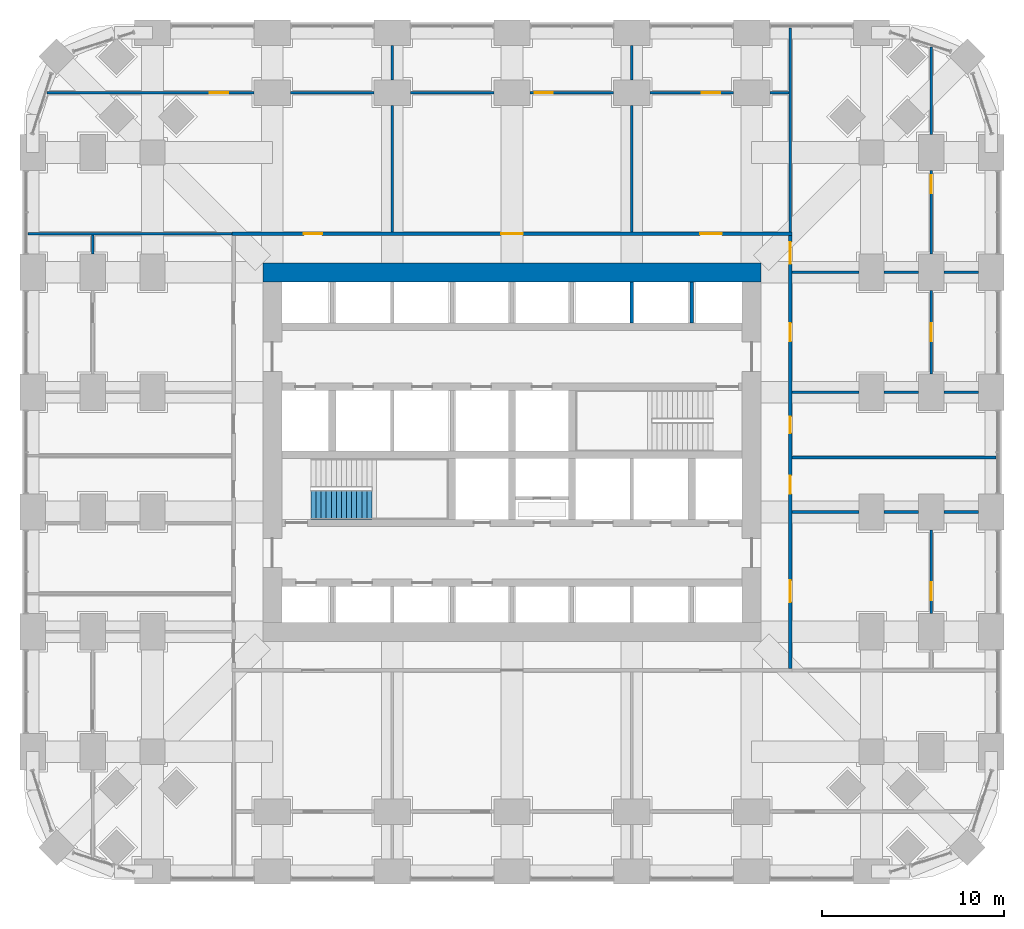
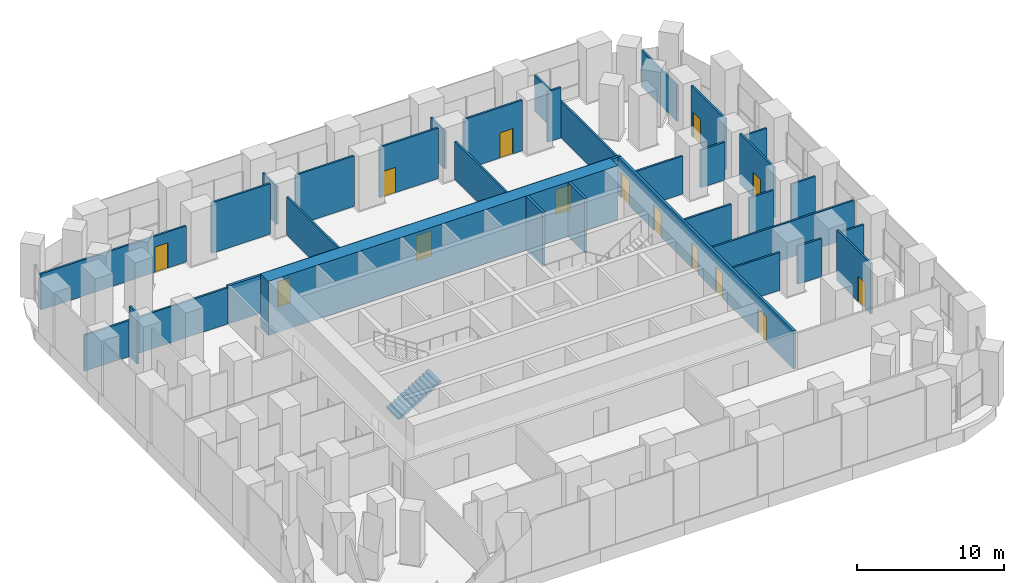
# One storey, part 13 of 17: 32 walls, 14 doors, 1 stair flight, 14 openings, 1 element without a shape of its own.
"""IFC4 building model written with IfcOpenShell, lengths in metres."""

import ifcopenshell
import ifcopenshell.guid

model = None  # the IFC model being written
_history = None  # IfcOwnerHistory: only IFC2X3 demands one
_inside = {}  # id of a spatial element -> (the spatial element, [elements in it])
_under = {}  # id of a project, library or spatial element -> (it, [spatial elements below it])
_declared = {}  # id of a project -> (the project, [libraries it declares])
_typed = {}  # id of a type object -> (the type object, [elements of that type])
_made_of = {}  # id of a material, layer set ... -> (it, [elements and type objects made of it])


def new_model(schema):
    """Start an empty IFC model of exactly this schema.

    Asked for "IFC4X3", IfcOpenShell would pick the latest addendum, in which some entities
    have other attributes; the version numbers below select the first issue.
    IFC2X3 requires an IfcOwnerHistory on every rooted entity: one is made here for all.
    """
    global model, _history
    if schema == "IFC4X3":
        model = ifcopenshell.file(schema_version=(4, 3, 0, 0))
    else:
        model = ifcopenshell.file(schema=schema)
    _inside.clear()
    _under.clear()
    _declared.clear()
    _typed.clear()
    _made_of.clear()
    _history = None
    if model.schema == "IFC2X3":
        org = make("IfcOrganization", Name="unknown")
        user = make(
            "IfcPersonAndOrganization",
            ThePerson=make("IfcPerson", FamilyName="unknown"),
            TheOrganization=org,
        )
        app = make(
            "IfcApplication",
            ApplicationDeveloper=org,
            Version="unknown",
            ApplicationFullName="unknown",
            ApplicationIdentifier="unknown",
        )
        _history = make(
            "IfcOwnerHistory",
            OwningUser=user,
            OwningApplication=app,
            ChangeAction="ADDED",
            CreationDate=0,
        )
    return model


def make(cls, **values):
    """One entity of the class cls with the attributes given. An attribute that is None is left unset."""
    return model.create_entity(
        cls, **{name: value for name, value in values.items() if value is not None}
    )


def rooted(cls, **values):
    """An entity with a GlobalId (a new one), such as an element, a storey or a relation."""
    return make(cls, GlobalId=ifcopenshell.guid.new(), OwnerHistory=_history, **values)


def si_unit(unit_type, name, prefix=None):
    """IfcSIUnit, for example si_unit("LENGTHUNIT", "METRE", prefix="MILLI")."""
    return make("IfcSIUnit", UnitType=unit_type, Prefix=prefix, Name=name)


def assignment(units):
    """IfcUnitAssignment: the units of a project."""
    return None if units is None else make("IfcUnitAssignment", Units=units)


def point(xyz):
    """IfcCartesianPoint."""
    return None if xyz is None else make("IfcCartesianPoint", Coordinates=xyz)


def direction(xyz):
    """IfcDirection."""
    return None if xyz is None else make("IfcDirection", DirectionRatios=xyz)


def frame(location, z_axis=None, x_axis=None):
    """IfcAxis2Placement3D, a coordinate frame: its origin and axes. An axis left out is left unset."""
    return make(
        "IfcAxis2Placement3D",
        Location=point(location),
        Axis=direction(z_axis),
        RefDirection=direction(x_axis),
    )


def frame_2d(location, x_axis=None):
    """IfcAxis2Placement2D, a coordinate frame in the plane: its origin and x axis."""
    return make(
        "IfcAxis2Placement2D", Location=point(location), RefDirection=direction(x_axis)
    )


def origin():
    """The frame at (0, 0, 0) with its axes left unset."""
    return frame((0.0, 0.0, 0.0))


def place(relative_to, where):
    """IfcLocalPlacement: puts the frame where relative to a parent placement (None: the world)."""
    return make(
        "IfcLocalPlacement", PlacementRelTo=relative_to, RelativePlacement=where
    )


def context(
    kind, dimensions, precision=None, world=None, true_north=None, identifier=None
):
    """IfcGeometricRepresentationContext, for example the 3D "Model" context."""
    return make(
        "IfcGeometricRepresentationContext",
        ContextIdentifier=identifier,
        ContextType=kind,
        CoordinateSpaceDimension=dimensions,
        Precision=precision,
        WorldCoordinateSystem=world,
        TrueNorth=true_north,
    )


def subcontext(parent, identifier, kind, view, scale=None):
    """IfcGeometricRepresentationSubContext, for example "Body" below "Model"."""
    return make(
        "IfcGeometricRepresentationSubContext",
        ContextIdentifier=identifier,
        ContextType=kind,
        ParentContext=parent,
        TargetScale=scale,
        TargetView=view,
    )


def project(units=None, contexts=None):
    """IfcProject with its units and contexts."""
    return rooted(
        "IfcProject",
        Name="project",
        RepresentationContexts=contexts,
        UnitsInContext=assignment(units),
    )


def spatial(cls, under=None, at=None, **own):
    """A site, building, storey or space (cls), placed at a placement, below another one or the project."""
    s = rooted(cls, ObjectPlacement=at, **own)
    if under is not None:
        _under.setdefault(under.id(), (under, []))[1].append(s)
    return s


def polyline(points):
    """IfcPolyline through the points."""
    return make("IfcPolyline", Points=[point(p) for p in points])


def profile(cls, at=None, kind="AREA", **sizes):
    """A parametric profile (cls). Its sizes go by their IFC names, for example OverallWidth=200.0."""
    return make(cls, ProfileType=kind, Position=at, **sizes)


def rectangle(**sizes):
    """IfcRectangleProfileDef."""
    return profile("IfcRectangleProfileDef", **sizes)


def outline(outer, holes=None, kind="AREA"):
    """IfcArbitraryClosedProfileDef: a profile drawn as a closed curve; with holes, ...WithVoids."""
    if holes is None:
        return make("IfcArbitraryClosedProfileDef", ProfileType=kind, OuterCurve=outer)
    return make(
        "IfcArbitraryProfileDefWithVoids",
        ProfileType=kind,
        OuterCurve=outer,
        InnerCurves=holes,
    )


def extrude(swept, where, along, depth):
    """IfcExtrudedAreaSolid: the profile swept, set in the frame where, extruded along a direction by depth."""
    return make(
        "IfcExtrudedAreaSolid",
        SweptArea=swept,
        Position=where,
        ExtrudedDirection=direction(along),
        Depth=depth,
    )


def shape(context_of_items, identifier, shape_type, items):
    """IfcShapeRepresentation: the items that make up one representation, for example the "Body"."""
    return make(
        "IfcShapeRepresentation",
        ContextOfItems=context_of_items,
        RepresentationIdentifier=identifier,
        RepresentationType=shape_type,
        Items=items,
    )


def material(Name=None, Category=None):
    """IfcMaterial."""
    return make("IfcMaterial", Name=Name, Category=Category)


def layer(
    of_material, thickness, ventilated=None, Name=None, Category=None, Priority=None
):
    """IfcMaterialLayer: one layer of a wall or slab, of a material (None: an air gap)."""
    return make(
        "IfcMaterialLayer",
        Material=of_material,
        LayerThickness=thickness,
        IsVentilated=ventilated,
        Name=Name,
        Category=Category,
        Priority=Priority,
    )


def layer_set(layers, Name=None):
    """IfcMaterialLayerSet."""
    return make("IfcMaterialLayerSet", MaterialLayers=layers, LayerSetName=Name)


def made_of(thing, what):
    """Note that an element or type object is made of a material, layer set ...; save() writes the relation."""
    if what is not None:
        _made_of.setdefault(what.id(), (what, []))[1].append(thing)
    return thing


def type_object(cls, material=None, **own):
    """A type object (cls), such as IfcWallType, which elements share."""
    return made_of(rooted(cls, **own), material)


def element(
    cls,
    number,
    at=None,
    inside=None,
    cuts=None,
    type_object=None,
    material=None,
    context=None,
    identifier="Body",
    shape_type=None,
    held_by="IfcProductDefinitionShape",
    body=None,
    shapes=None,
    **own,
):
    """One element of the class cls, such as IfcWall. Its Tag is "e" and its number.

    at: its placement. inside: the storey or other place that contains it. cuts: it is an
    opening in that element (IfcRelVoidsElement). A single representation is given by context,
    identifier, shape_type and body (its items); several are given by shapes. held_by: the class
    of the entity that holds the representations. save() writes the other relations.
    """
    e = rooted(cls, Tag="e%d" % number, ObjectPlacement=at, **own)
    if body is not None:
        shapes = [shape(context, identifier, shape_type, body)]
    if shapes is not None:
        e.Representation = make(held_by, Representations=shapes)
    if inside is not None:
        _inside.setdefault(inside.id(), (inside, []))[1].append(e)
    if cuts is not None:
        rooted(
            "IfcRelVoidsElement", RelatingBuildingElement=cuts, RelatedOpeningElement=e
        )
    if type_object is not None:
        _typed.setdefault(type_object.id(), (type_object, []))[1].append(e)
    return made_of(e, material)


def fill(opening, filler):
    """IfcRelFillsElement: the door or window that sits in an opening."""
    return rooted(
        "IfcRelFillsElement",
        RelatingOpeningElement=opening,
        RelatedBuildingElement=filler,
    )


def aggregate(whole, parts):
    """IfcRelAggregates: a whole, such as a stair, and the parts it consists of."""
    return rooted("IfcRelAggregates", RelatingObject=whole, RelatedObjects=parts)


def save(model, path):
    """Write the relations noted so far, then the file.

    IfcRelAggregates (storeys below a building ...), IfcRelContainedInSpatialStructure (elements
    in a storey), IfcRelDefinesByType, IfcRelAssociatesMaterial and IfcRelDeclares: one each for
    every whole, place, type object, material and project.
    """
    for whole, parts in _under.values():
        aggregate(whole, parts)
    for where, things in _inside.values():
        rooted(
            "IfcRelContainedInSpatialStructure",
            RelatedElements=things,
            RelatingStructure=where,
        )
    for kind, things in _typed.values():
        rooted("IfcRelDefinesByType", RelatedObjects=things, RelatingType=kind)
    for what, things in _made_of.values():
        rooted("IfcRelAssociatesMaterial", RelatedObjects=things, RelatingMaterial=what)
    for by, libraries in _declared.values():
        rooted("IfcRelDeclares", RelatingContext=by, RelatedDefinitions=libraries)
    model.write(path)


model = new_model("IFC4")

# Units and contexts
model_context = context("Model", 3, precision=1e-05, world=origin(), true_north=direction((0.0, 1.0)))
body_context = subcontext(model_context, "Body", "Model", "MODEL_VIEW")
ifc_project = project(units=[si_unit("LENGTHUNIT", "METRE"), si_unit("AREAUNIT", "SQUARE_METRE"), si_unit("VOLUMEUNIT", "CUBIC_METRE"), si_unit("PLANEANGLEUNIT", "RADIAN"), si_unit("MASSUNIT", "GRAM", prefix="KILO")], contexts=[model_context])

# Site, building, storey
site_placement = place(None, origin())
site = spatial("IfcSite", under=ifc_project, at=site_placement, CompositionType="ELEMENT")
building_placement = place(site_placement, origin())
building = spatial("IfcBuilding", under=site, at=building_placement, Name="Cobogo Forest Laboratory Tower", CompositionType="ELEMENT")
storey_placement = place(building_placement, frame((0.0, 0.0, 12.60009765625)))
storey = spatial("IfcBuildingStorey", under=building, at=storey_placement, Name="L02", CompositionType="ELEMENT", Elevation=12.60009765625)

# Walls
ifc_material_1 = material(Name="Concrete HA-50 (C50/60)", Category="concrete")
ifc_layer_1 = layer(ifc_material_1, 1.050048828125)
ifc_layer_set_1 = layer_set([ifc_layer_1], Name="CW1050 core outer wall 1050")
wall_type_1 = type_object("IfcWallType", Name="CW1050 core outer wall 1050", PredefinedType="SHEAR", material=ifc_layer_set_1)
wall_1_placement = place(storey_placement, frame((40.125, 33.0, 0.0), z_axis=(0.0, 0.0, 1.0), x_axis=(-1.0, 0.0, 0.0)))
element("IfcWall", 1, at=wall_1_placement, inside=storey, type_object=wall_type_1, Name="Core wall CO-N L02", PredefinedType="SHEAR", context=body_context, shape_type="SweptSolid", body=[
    extrude(rectangle(XDim=27.449951171875, YDim=1.050048828125, at=frame_2d((13.72509765625, 0.0))), origin(), (0.0, 0.0, 1.0), 4.5),
])
ifc_material_2 = material(Name="Gypsum board on steel studs", Category="steel")
ifc_layer_2 = layer(ifc_material_2, 0.14990234375)
ifc_layer_set_2 = layer_set([ifc_layer_2], Name="PT1 laboratory partition 150")
wall_type_2 = type_object("IfcWallType", Name="PT1 laboratory partition 150", PredefinedType="PARTITIONING", material=ifc_layer_set_2)
wall_2_placement = place(storey_placement, frame((41.72509765625, 46.469970703125, 0.0), z_axis=(0.0, 0.0, 1.0), x_axis=(0.0, -1.0, 0.0)))
element("IfcWall", 2, at=wall_2_placement, inside=storey, type_object=wall_type_2, Name="Partition PW-NE L02", PredefinedType="PARTITIONING", context=body_context, shape_type="SweptSolid", body=[
    extrude(rectangle(XDim=11.244873046875, YDim=0.14990234375, at=frame_2d((5.62255859375, 0.0))), origin(), (0.0, 0.0, 1.0), 3.0),
])
wall_3_placement = place(storey_placement, frame((-0.27001953125, 35.125, 0.0), z_axis=(0.0, 0.0, 1.0), x_axis=(1.0, 0.0, 0.0)))
element("IfcWall", 3, at=wall_3_placement, inside=storey, type_object=wall_type_2, Name="Partition PW-NW L02", PredefinedType="PARTITIONING", context=body_context, shape_type="SweptSolid", body=[
    extrude(rectangle(XDim=11.2451171875, YDim=0.14990234375, at=frame_2d((5.62255859375, 0.0))), origin(), (0.0, 0.0, 1.0), 3.0),
])

# Wall, opening, door
wall_4_placement = place(storey_placement, frame((49.5, 14.199951171875, 0.0), z_axis=(0.0, 0.0, 1.0), x_axis=(0.0, 1.0, 0.0)))
wall_4 = element("IfcWall", 4, at=wall_4_placement, inside=storey, type_object=wall_type_2, Name="Partition STRIP-E-2 L02", PredefinedType="PARTITIONING", context=body_context, shape_type="SweptSolid", body=[
    extrude(rectangle(XDim=4.60009765625, YDim=0.14990234375, at=frame_2d((2.300048828125, 0.0))), origin(), (0.0, 0.0, 1.0), 4.199951171875),
])
opening_1_placement = place(wall_4_placement, frame((0.737548828125, 0.0, 0.0)))
opening_1 = element("IfcOpeningElement", 5, at=opening_1_placement, cuts=wall_4, Name="Opening L02-D11", PredefinedType="OPENING", context=body_context, shape_type="SweptSolid", body=[
    extrude(rectangle(XDim=1.0, YDim=2.10009765625, at=frame_2d((0.5, 1.050048828125))), frame((0.0, 0.0849609375, 0.0), z_axis=(0.0, -1.0, 0.0), x_axis=(1.0, 0.0, 0.0)), (0.0, 0.0, 1.0), 0.169921875),
])
ifc_material_3 = material(Name="Timber fire door", Category="wood")
door_type_1 = type_object("IfcDoorType", Name="FD2 fire door 1000 EI2 30", OperationType="SINGLE_SWING_LEFT", PredefinedType="DOOR", material=ifc_material_3)
door_1_placement = place(opening_1_placement, origin())
door_1 = element("IfcDoor", 6, at=door_1_placement, inside=storey, type_object=door_type_1, Name="Door L02-E1W", OperationType="SINGLE_SWING_LEFT", OverallHeight=2.10009765625, OverallWidth=1.0, PredefinedType="DOOR", context=body_context, shape_type="SweptSolid", body=[
    extrude(rectangle(XDim=1.0, YDim=2.10009765625, at=frame_2d((0.5, 1.050048828125))), frame((0.0, 0.02490234375, 0.0), z_axis=(0.0, -1.0, 0.0), x_axis=(1.0, 0.0, 0.0)), (0.0, 0.0, 1.0), 0.050048828125),
])
fill(opening_1, door_1)

wall_5_placement = place(storey_placement, frame((49.5, 27.39990234375, 0.0), z_axis=(0.0, 0.0, 1.0), x_axis=(0.0, 1.0, 0.0)))
wall_5 = element("IfcWall", 7, at=wall_5_placement, inside=storey, type_object=wall_type_2, Name="Partition STRIP-E-3 L02", PredefinedType="PARTITIONING", context=body_context, shape_type="SweptSolid", body=[
    extrude(rectangle(XDim=4.60009765625, YDim=0.14990234375, at=frame_2d((2.300048828125, 0.0))), origin(), (0.0, 0.0, 1.0), 4.199951171875),
])
opening_2_placement = place(wall_5_placement, frame((1.800048828125, 0.0, 0.0)))
opening_2 = element("IfcOpeningElement", 8, at=opening_2_placement, cuts=wall_5, Name="Opening L02-D27", PredefinedType="OPENING", context=body_context, shape_type="SweptSolid", body=[
    extrude(rectangle(XDim=1.0, YDim=2.10009765625, at=frame_2d((0.5, 1.050048828125))), frame((0.0, 0.0849609375, 0.0), z_axis=(0.0, -1.0, 0.0), x_axis=(1.0, 0.0, 0.0)), (0.0, 0.0, 1.0), 0.169921875),
])
door_2_placement = place(opening_2_placement, origin())
door_2 = element("IfcDoor", 9, at=door_2_placement, inside=storey, type_object=door_type_1, Name="Door L02-E2W", OperationType="SINGLE_SWING_RIGHT", OverallHeight=2.10009765625, OverallWidth=1.0, PredefinedType="DOOR", context=body_context, shape_type="SweptSolid", body=[
    extrude(rectangle(XDim=1.0, YDim=2.10009765625, at=frame_2d((0.5, 1.050048828125))), frame((0.0, 0.02490234375, 0.0), z_axis=(0.0, -1.0, 0.0), x_axis=(1.0, 0.0, 0.0)), (0.0, 0.0, 1.0), 0.050048828125),
])
fill(opening_2, door_2)

wall_6_placement = place(storey_placement, frame((49.5, 34.0, 0.0), z_axis=(0.0, 0.0, 1.0), x_axis=(0.0, 1.0, 0.0)))
wall_6 = element("IfcWall", 10, at=wall_6_placement, inside=storey, type_object=wall_type_2, Name="Partition STRIP-E-4 L02", PredefinedType="PARTITIONING", context=body_context, shape_type="SweptSolid", body=[
    extrude(rectangle(XDim=4.60009765625, YDim=0.14990234375, at=frame_2d((2.300048828125, 0.0))), origin(), (0.0, 0.0, 1.0), 4.199951171875),
])
opening_3_placement = place(wall_6_placement, frame((3.35009765625, 0.0, 0.0)))
opening_3 = element("IfcOpeningElement", 11, at=opening_3_placement, cuts=wall_6, Name="Opening L02-D34", PredefinedType="OPENING", context=body_context, shape_type="SweptSolid", body=[
    extrude(rectangle(XDim=1.0, YDim=2.10009765625, at=frame_2d((0.5, 1.050048828125))), frame((0.0, 0.0849609375, 0.0), z_axis=(0.0, -1.0, 0.0), x_axis=(1.0, 0.0, 0.0)), (0.0, 0.0, 1.0), 0.169921875),
])
door_3_placement = place(opening_3_placement, origin())
door_3 = element("IfcDoor", 12, at=door_3_placement, inside=storey, type_object=door_type_1, Name="Door L02-E3W", OperationType="SINGLE_SWING_RIGHT", OverallHeight=2.10009765625, OverallWidth=1.0, PredefinedType="DOOR", context=body_context, shape_type="SweptSolid", body=[
    extrude(rectangle(XDim=1.0, YDim=2.10009765625, at=frame_2d((0.5, 1.050048828125))), frame((0.0, 0.02490234375, 0.0), z_axis=(0.0, -1.0, 0.0), x_axis=(1.0, 0.0, 0.0)), (0.0, 0.0, 1.0), 0.050048828125),
])
fill(opening_3, door_3)

# Walls
wall_7_placement = place(storey_placement, frame((49.5, 40.60009765625, 0.0), z_axis=(0.0, 0.0, 1.0), x_axis=(0.0, 1.0, 0.0)))
element("IfcWall", 13, at=wall_7_placement, inside=storey, type_object=wall_type_2, Name="Partition STRIP-E-5 L02", PredefinedType="PARTITIONING", context=body_context, shape_type="SweptSolid", body=[
    extrude(rectangle(XDim=4.823974609375, YDim=0.14990234375, at=frame_2d((2.412109375, 0.0))), origin(), (0.0, 0.0, 1.0), 3.0),
])
wall_8_placement = place(storey_placement, frame((53.070068359375, 22.800048828125, 0.0), z_axis=(0.0, 0.0, 1.0), x_axis=(-1.0, 0.0, 0.0)))
element("IfcWall", 14, at=wall_8_placement, inside=storey, type_object=wall_type_2, Name="Partition SVC-E1-1 L02", PredefinedType="PARTITIONING", context=body_context, shape_type="SweptSolid", body=[
    extrude(rectangle(XDim=11.2451171875, YDim=0.14990234375, at=frame_2d((5.62255859375, 0.0))), origin(), (0.0, 0.0, 1.0), 3.0),
])
for number, where, z_axis, x_axis, name in (
    (15, (52.10009765625, 26.39990234375, 0.0), (0.0, 0.0, 1.0), (-1.0, 0.0, 0.0), "Partition SVC-E2-1 L02"),
    (16, (48.800048828125, 26.39990234375, 0.0), (0.0, 0.0, 1.0), (-1.0, 0.0, 0.0), "Partition SVC-E2-2 L02"),
):
    element("IfcWall", number, at=place(storey_placement, frame(where, z_axis=z_axis, x_axis=x_axis)), inside=storey, type_object=wall_type_2, Name=name, PredefinedType="PARTITIONING", context=body_context, shape_type="SweptSolid", body=[
        extrude(rectangle(XDim=1.900146484375, YDim=0.14990234375, at=frame_2d((0.9501953125, 0.0))), origin(), (0.0, 0.0, 1.0), 3.14990234375),
    ])
wall_9_placement = place(storey_placement, frame((45.5, 26.39990234375, 0.0), z_axis=(0.0, 0.0, 1.0), x_axis=(-1.0, 0.0, 0.0)))
element("IfcWall", 17, at=wall_9_placement, inside=storey, type_object=wall_type_2, Name="Partition SVC-E2-3 L02", PredefinedType="PARTITIONING", context=body_context, shape_type="SweptSolid", body=[
    extrude(rectangle(XDim=3.675048828125, YDim=0.14990234375, at=frame_2d((1.83740234375, 0.0))), origin(), (0.0, 0.0, 1.0), 3.14990234375),
])
for number, where, z_axis, x_axis, name in (
    (18, (52.10009765625, 19.800048828125, 0.0), (0.0, 0.0, 1.0), (-1.0, 0.0, 0.0), "Partition CUT-E19.8-1 L02"),
    (19, (48.800048828125, 19.800048828125, 0.0), (0.0, 0.0, 1.0), (-1.0, 0.0, 0.0), "Partition CUT-E19.8-2 L02"),
):
    element("IfcWall", number, at=place(storey_placement, frame(where, z_axis=z_axis, x_axis=x_axis)), inside=storey, type_object=wall_type_2, Name=name, PredefinedType="PARTITIONING", context=body_context, shape_type="SweptSolid", body=[
        extrude(rectangle(XDim=1.900146484375, YDim=0.14990234375, at=frame_2d((0.9501953125, 0.0))), origin(), (0.0, 0.0, 1.0), 3.14990234375),
    ])
wall_10_placement = place(storey_placement, frame((45.5, 19.800048828125, 0.0), z_axis=(0.0, 0.0, 1.0), x_axis=(-1.0, 0.0, 0.0)))
element("IfcWall", 20, at=wall_10_placement, inside=storey, type_object=wall_type_2, Name="Partition CUT-E19.8-3 L02", PredefinedType="PARTITIONING", context=body_context, shape_type="SweptSolid", body=[
    extrude(rectangle(XDim=3.675048828125, YDim=0.14990234375, at=frame_2d((1.83740234375, 0.0))), origin(), (0.0, 0.0, 1.0), 3.14990234375),
])
for number, where, z_axis, x_axis, name in (
    (21, (52.10009765625, 33.0, 0.0), (0.0, 0.0, 1.0), (-1.0, 0.0, 0.0), "Partition CUT-E33-1 L02"),
    (22, (48.800048828125, 33.0, 0.0), (0.0, 0.0, 1.0), (-1.0, 0.0, 0.0), "Partition CUT-E33-2 L02"),
):
    element("IfcWall", number, at=place(storey_placement, frame(where, z_axis=z_axis, x_axis=x_axis)), inside=storey, type_object=wall_type_2, Name=name, PredefinedType="PARTITIONING", context=body_context, shape_type="SweptSolid", body=[
        extrude(rectangle(XDim=1.900146484375, YDim=0.14990234375, at=frame_2d((0.9501953125, 0.0))), origin(), (0.0, 0.0, 1.0), 3.14990234375),
    ])
wall_11_placement = place(storey_placement, frame((45.5, 33.0, 0.0), z_axis=(0.0, 0.0, 1.0), x_axis=(-1.0, 0.0, 0.0)))
element("IfcWall", 23, at=wall_11_placement, inside=storey, type_object=wall_type_2, Name="Partition CUT-E33-3 L02", PredefinedType="PARTITIONING", context=body_context, shape_type="SweptSolid", body=[
    extrude(rectangle(XDim=3.675048828125, YDim=0.14990234375, at=frame_2d((1.83740234375, 0.0))), origin(), (0.0, 0.0, 1.0), 3.14990234375),
])
wall_12_placement = place(storey_placement, frame((41.64990234375, 42.89990234375, 0.0), z_axis=(0.0, 0.0, 1.0), x_axis=(-1.0, 0.0, 0.0)))
element("IfcWall", 24, at=wall_12_placement, inside=storey, type_object=wall_type_2, Name="Partition STRIP-N-1 L02", PredefinedType="PARTITIONING", context=body_context, shape_type="SweptSolid", body=[
    extrude(rectangle(XDim=1.0498046875, YDim=0.14990234375, at=frame_2d((0.52490234375, 0.0))), origin(), (0.0, 0.0, 1.0), 4.199951171875),
])

# Wall, opening, door
wall_13_placement = place(storey_placement, frame((38.60009765625, 42.89990234375, 0.0), z_axis=(0.0, 0.0, 1.0), x_axis=(-1.0, 0.0, 0.0)))
wall_13 = element("IfcWall", 25, at=wall_13_placement, inside=storey, type_object=wall_type_2, Name="Partition STRIP-N-2 L02", PredefinedType="PARTITIONING", context=body_context, shape_type="SweptSolid", body=[
    extrude(rectangle(XDim=4.60009765625, YDim=0.14990234375, at=frame_2d((2.300048828125, 0.0))), origin(), (0.0, 0.0, 1.0), 4.199951171875),
])
opening_4_placement = place(wall_13_placement, frame((0.737548828125, 0.0, 0.0)))
opening_4 = element("IfcOpeningElement", 26, at=opening_4_placement, cuts=wall_13, Name="Opening L02-D37", PredefinedType="OPENING", context=body_context, shape_type="SweptSolid", body=[
    extrude(rectangle(XDim=1.0, YDim=2.10009765625, at=frame_2d((0.5, 1.050048828125))), frame((0.0, 0.0849609375, 0.0), z_axis=(0.0, -1.0, 0.0), x_axis=(1.0, 0.0, 0.0)), (0.0, 0.0, 1.0), 0.169921875),
])
door_4_placement = place(opening_4_placement, origin())
door_4 = element("IfcDoor", 27, at=door_4_placement, inside=storey, type_object=door_type_1, Name="Door L02-N3W", OperationType="SINGLE_SWING_LEFT", OverallHeight=2.10009765625, OverallWidth=1.0, PredefinedType="DOOR", context=body_context, shape_type="SweptSolid", body=[
    extrude(rectangle(XDim=1.0, YDim=2.10009765625, at=frame_2d((0.5, 1.050048828125))), frame((0.0, 0.02490234375, 0.0), z_axis=(0.0, -1.0, 0.0), x_axis=(1.0, 0.0, 0.0)), (0.0, 0.0, 1.0), 0.050048828125),
])
fill(opening_4, door_4)

wall_14_placement = place(storey_placement, frame((32.0, 42.89990234375, 0.0), z_axis=(0.0, 0.0, 1.0), x_axis=(-1.0, 0.0, 0.0)))
wall_14 = element("IfcWall", 28, at=wall_14_placement, inside=storey, type_object=wall_type_2, Name="Partition STRIP-N-3 L02", PredefinedType="PARTITIONING", context=body_context, shape_type="SweptSolid", body=[
    extrude(rectangle(XDim=4.60009765625, YDim=0.14990234375, at=frame_2d((2.300048828125, 0.0))), origin(), (0.0, 0.0, 1.0), 4.199951171875),
])
opening_5_placement = place(wall_14_placement, frame((3.35009765625, 0.0, 0.0)))
opening_5 = element("IfcOpeningElement", 29, at=opening_5_placement, cuts=wall_14, Name="Opening L02-D36", PredefinedType="OPENING", context=body_context, shape_type="SweptSolid", body=[
    extrude(rectangle(XDim=1.0, YDim=2.10009765625, at=frame_2d((0.5, 1.050048828125))), frame((0.0, 0.0849609375, 0.0), z_axis=(0.0, -1.0, 0.0), x_axis=(1.0, 0.0, 0.0)), (0.0, 0.0, 1.0), 0.169921875),
])
door_5_placement = place(opening_5_placement, origin())
door_5 = element("IfcDoor", 30, at=door_5_placement, inside=storey, type_object=door_type_1, Name="Door L02-N2W", OperationType="SINGLE_SWING_RIGHT", OverallHeight=2.10009765625, OverallWidth=1.0, PredefinedType="DOOR", context=body_context, shape_type="SweptSolid", body=[
    extrude(rectangle(XDim=1.0, YDim=2.10009765625, at=frame_2d((0.5, 1.050048828125))), frame((0.0, 0.02490234375, 0.0), z_axis=(0.0, -1.0, 0.0), x_axis=(1.0, 0.0, 0.0)), (0.0, 0.0, 1.0), 0.050048828125),
])
fill(opening_5, door_5)

# Walls
wall_15_placement = place(storey_placement, frame((25.39990234375, 42.89990234375, 0.0), z_axis=(0.0, 0.0, 1.0), x_axis=(-1.0, 0.0, 0.0)))
element("IfcWall", 31, at=wall_15_placement, inside=storey, type_object=wall_type_2, Name="Partition STRIP-N-4 L02", PredefinedType="PARTITIONING", context=body_context, shape_type="SweptSolid", body=[
    extrude(rectangle(XDim=4.599853515625, YDim=0.14990234375, at=frame_2d((2.2998046875, 0.0))), origin(), (0.0, 0.0, 1.0), 4.199951171875),
])
wall_16_placement = place(storey_placement, frame((18.800048828125, 42.89990234375, 0.0), z_axis=(0.0, 0.0, 1.0), x_axis=(-1.0, 0.0, 0.0)))
element("IfcWall", 32, at=wall_16_placement, inside=storey, type_object=wall_type_2, Name="Partition STRIP-N-5 L02", PredefinedType="PARTITIONING", context=body_context, shape_type="SweptSolid", body=[
    extrude(rectangle(XDim=4.60009765625, YDim=0.14990234375, at=frame_2d((2.300048828125, 0.0))), origin(), (0.0, 0.0, 1.0), 4.199951171875),
])

# Wall, opening, door
wall_17_placement = place(storey_placement, frame((12.199951171875, 42.89990234375, 0.0), z_axis=(0.0, 0.0, 1.0), x_axis=(-1.0, 0.0, 0.0)))
wall_17 = element("IfcWall", 33, at=wall_17_placement, inside=storey, type_object=wall_type_2, Name="Partition STRIP-N-6 L02", PredefinedType="PARTITIONING", context=body_context, shape_type="SweptSolid", body=[
    extrude(rectangle(XDim=11.423828125, YDim=0.14990234375, at=frame_2d((5.7119140625, 0.0))), origin(), (0.0, 0.0, 1.0), 3.0),
])
opening_6_placement = place(wall_17_placement, frame((1.442138671875, 0.0, 0.0)))
opening_6 = element("IfcOpeningElement", 34, at=opening_6_placement, cuts=wall_17, Name="Opening L02-D35", PredefinedType="OPENING", context=body_context, shape_type="SweptSolid", body=[
    extrude(rectangle(XDim=1.0, YDim=2.10009765625, at=frame_2d((0.5, 1.050048828125))), frame((0.0, 0.0849609375, 0.0), z_axis=(0.0, -1.0, 0.0), x_axis=(1.0, 0.0, 0.0)), (0.0, 0.0, 1.0), 0.169921875),
])
door_6_placement = place(opening_6_placement, origin())
door_6 = element("IfcDoor", 35, at=door_6_placement, inside=storey, type_object=door_type_1, Name="Door L02-N1W", OperationType="SINGLE_SWING_LEFT", OverallHeight=2.10009765625, OverallWidth=1.0, PredefinedType="DOOR", context=body_context, shape_type="SweptSolid", body=[
    extrude(rectangle(XDim=1.0, YDim=2.10009765625, at=frame_2d((0.5, 1.050048828125))), frame((0.0, 0.02490234375, 0.0), z_axis=(0.0, -1.0, 0.0), x_axis=(1.0, 0.0, 0.0)), (0.0, 0.0, 1.0), 0.050048828125),
])
fill(opening_6, door_6)

# Walls
wall_18_placement = place(storey_placement, frame((19.800048828125, 45.5, 0.0), z_axis=(0.0, 0.0, 1.0), x_axis=(0.0, -1.0, 0.0)))
element("IfcWall", 36, at=wall_18_placement, inside=storey, type_object=wall_type_2, Name="Partition CUT-N19.8a-1 L02", PredefinedType="PARTITIONING", context=body_context, shape_type="SweptSolid", body=[
    extrude(rectangle(XDim=1.89990234375, YDim=0.14990234375, at=frame_2d((0.949951171875, 0.0))), origin(), (0.0, 0.0, 1.0), 3.14990234375),
])
wall_19_placement = place(storey_placement, frame((19.800048828125, 42.199951171875, 0.0), z_axis=(0.0, 0.0, 1.0), x_axis=(0.0, -1.0, 0.0)))
element("IfcWall", 37, at=wall_19_placement, inside=storey, type_object=wall_type_2, Name="Partition CUT-N19.8b-1 L02", PredefinedType="PARTITIONING", context=body_context, shape_type="SweptSolid", body=[
    extrude(rectangle(XDim=6.974853515625, YDim=0.14990234375, at=frame_2d((3.4873046875, 0.0))), origin(), (0.0, 0.0, 1.0), 3.14990234375),
])
wall_20_placement = place(storey_placement, frame((33.0, 45.5, 0.0), z_axis=(0.0, 0.0, 1.0), x_axis=(0.0, -1.0, 0.0)))
element("IfcWall", 38, at=wall_20_placement, inside=storey, type_object=wall_type_2, Name="Partition CUT-N33a-1 L02", PredefinedType="PARTITIONING", context=body_context, shape_type="SweptSolid", body=[
    extrude(rectangle(XDim=1.89990234375, YDim=0.14990234375, at=frame_2d((0.949951171875, 0.0))), origin(), (0.0, 0.0, 1.0), 3.14990234375),
])
wall_21_placement = place(storey_placement, frame((33.0, 42.199951171875, 0.0), z_axis=(0.0, 0.0, 1.0), x_axis=(0.0, -1.0, 0.0)))
element("IfcWall", 39, at=wall_21_placement, inside=storey, type_object=wall_type_2, Name="Partition CUT-N33b-1 L02", PredefinedType="PARTITIONING", context=body_context, shape_type="SweptSolid", body=[
    extrude(rectangle(XDim=6.974853515625, YDim=0.14990234375, at=frame_2d((3.4873046875, 0.0))), origin(), (0.0, 0.0, 1.0), 3.14990234375),
])
wall_22_placement = place(storey_placement, frame((3.300048828125, 35.050048828125, 0.0), z_axis=(0.0, 0.0, 1.0), x_axis=(0.0, -1.0, 0.0)))
element("IfcWall", 40, at=wall_22_placement, inside=storey, type_object=wall_type_2, Name="Partition STRIP-W-1 L02", PredefinedType="PARTITIONING", context=body_context, shape_type="SweptSolid", body=[
    extrude(rectangle(XDim=1.050048828125, YDim=0.14990234375, at=frame_2d((0.52490234375, 0.0))), origin(), (0.0, 0.0, 1.0), 4.199951171875),
])

# Wall, openings, doors
ifc_layer_3 = layer(ifc_material_2, 0.199951171875)
ifc_layer_set_3 = layer_set([ifc_layer_3], Name="PT2 fire-rated corridor partition 200")
wall_type_3 = type_object("IfcWallType", Name="PT2 fire-rated corridor partition 200", PredefinedType="PARTITIONING", material=ifc_layer_set_3)
wall_23_placement = place(storey_placement, frame((10.97509765625, 35.125, 0.0), z_axis=(0.0, 0.0, 1.0), x_axis=(1.0, 0.0, 0.0)))
wall_23 = element("IfcWall", 41, at=wall_23_placement, inside=storey, type_object=wall_type_3, Name="Partition CORR-N L02", PredefinedType="PARTITIONING", context=body_context, shape_type="SweptSolid", body=[
    extrude(rectangle(XDim=30.849853515625, YDim=0.199951171875, at=frame_2d((15.4248046875, 0.0))), origin(), (0.0, 0.0, 1.0), 3.14990234375),
])
opening_7_placement = place(wall_23_placement, frame((3.96240234375, 0.0, 0.0)))
opening_7 = element("IfcOpeningElement", 42, at=opening_7_placement, cuts=wall_23, Name="Opening L02-D31", PredefinedType="OPENING", context=body_context, shape_type="SweptSolid", body=[
    extrude(rectangle(XDim=1.0, YDim=2.10009765625, at=frame_2d((0.5, 1.050048828125))), frame((0.0, 0.10986328125, 0.0), z_axis=(0.0, -1.0, 0.0), x_axis=(1.0, 0.0, 0.0)), (0.0, 0.0, 1.0), 0.219970703125),
])
opening_8_placement = place(wall_23_placement, frame((14.824951171875, 0.0, 0.0)))
opening_8 = element("IfcOpeningElement", 43, at=opening_8_placement, cuts=wall_23, Name="Opening L02-D32", PredefinedType="OPENING", context=body_context, shape_type="SweptSolid", body=[
    extrude(rectangle(XDim=1.199951171875, YDim=2.10009765625, at=frame_2d((0.60009765625, 1.050048828125))), frame((0.0, 0.10986328125, 0.0), z_axis=(0.0, -1.0, 0.0), x_axis=(1.0, 0.0, 0.0)), (0.0, 0.0, 1.0), 0.219970703125),
])
opening_9_placement = place(wall_23_placement, frame((25.78759765625, 0.0, 0.0)))
opening_9 = element("IfcOpeningElement", 44, at=opening_9_placement, cuts=wall_23, Name="Opening L02-D33", PredefinedType="OPENING", context=body_context, shape_type="SweptSolid", body=[
    extrude(rectangle(XDim=1.199951171875, YDim=2.10009765625, at=frame_2d((0.60009765625, 1.050048828125))), frame((0.0, 0.10986328125, 0.0), z_axis=(0.0, -1.0, 0.0), x_axis=(1.0, 0.0, 0.0)), (0.0, 0.0, 1.0), 0.219970703125),
])
ifc_material_4 = material(Name="Timber door", Category="wood")
door_type_2 = type_object("IfcDoorType", Name="D2 laboratory door 1200 unequal pair", OperationType="DOUBLE_DOOR_SINGLE_SWING", PredefinedType="DOOR", material=ifc_material_4)
door_7_placement = place(opening_8_placement, origin())
door_7 = element("IfcDoor", 45, at=door_7_placement, inside=storey, type_object=door_type_2, Name="Door L02-N2", OperationType="DOUBLE_DOOR_SINGLE_SWING", OverallHeight=2.10009765625, OverallWidth=1.199951171875, PredefinedType="DOOR", context=body_context, shape_type="SweptSolid", body=[
    extrude(rectangle(XDim=1.199951171875, YDim=2.10009765625, at=frame_2d((0.60009765625, 1.050048828125))), frame((0.0, 0.02490234375, 0.0), z_axis=(0.0, -1.0, 0.0), x_axis=(1.0, 0.0, 0.0)), (0.0, 0.0, 1.0), 0.050048828125),
])
fill(opening_8, door_7)
door_8_placement = place(opening_9_placement, origin())
door_8 = element("IfcDoor", 46, at=door_8_placement, inside=storey, type_object=door_type_2, Name="Door L02-N3", OperationType="DOUBLE_DOOR_SINGLE_SWING", OverallHeight=2.10009765625, OverallWidth=1.199951171875, PredefinedType="DOOR", context=body_context, shape_type="SweptSolid", body=[
    extrude(rectangle(XDim=1.199951171875, YDim=2.10009765625, at=frame_2d((0.60009765625, 1.050048828125))), frame((0.0, 0.02490234375, 0.0), z_axis=(0.0, -1.0, 0.0), x_axis=(1.0, 0.0, 0.0)), (0.0, 0.0, 1.0), 0.050048828125),
])
fill(opening_9, door_8)
door_9_placement = place(opening_7_placement, origin())
door_9 = element("IfcDoor", 47, at=door_9_placement, inside=storey, type_object=door_type_1, Name="Door L02-N1", OperationType="SINGLE_SWING_LEFT", OverallHeight=2.10009765625, OverallWidth=1.0, PredefinedType="DOOR", context=body_context, shape_type="SweptSolid", body=[
    extrude(rectangle(XDim=1.0, YDim=2.10009765625, at=frame_2d((0.5, 1.050048828125))), frame((0.0, 0.02490234375, 0.0), z_axis=(0.0, -1.0, 0.0), x_axis=(1.0, 0.0, 0.0)), (0.0, 0.0, 1.0), 0.050048828125),
])
fill(opening_7, door_9)

wall_24_placement = place(storey_placement, frame((41.72509765625, 11.175048828125, 0.0), z_axis=(0.0, 0.0, 1.0), x_axis=(0.0, 1.0, 0.0)))
wall_24 = element("IfcWall", 48, at=wall_24_placement, inside=storey, type_object=wall_type_3, Name="Partition CORR-E L02", PredefinedType="PARTITIONING", context=body_context, shape_type="SweptSolid", body=[
    extrude(rectangle(XDim=23.849853515625, YDim=0.199951171875, at=frame_2d((11.9248046875, 0.0))), origin(), (0.0, 0.0, 1.0), 3.14990234375),
])
opening_10_placement = place(wall_24_placement, frame((3.66259765625, 0.0, 0.0)))
opening_10 = element("IfcOpeningElement", 49, at=opening_10_placement, cuts=wall_24, Name="Opening L02-D10", PredefinedType="OPENING", context=body_context, shape_type="SweptSolid", body=[
    extrude(rectangle(XDim=1.199951171875, YDim=2.10009765625, at=frame_2d((0.60009765625, 1.050048828125))), frame((0.0, 0.10986328125, 0.0), z_axis=(0.0, -1.0, 0.0), x_axis=(1.0, 0.0, 0.0)), (0.0, 0.0, 1.0), 0.219970703125),
])
opening_11_placement = place(wall_24_placement, frame((9.625, 0.0, 0.0)))
opening_11 = element("IfcOpeningElement", 50, at=opening_11_placement, cuts=wall_24, Name="Opening L02-D20", PredefinedType="OPENING", context=body_context, shape_type="SweptSolid", body=[
    extrude(rectangle(XDim=1.0, YDim=2.10009765625, at=frame_2d((0.5, 1.050048828125))), frame((0.0, 0.10986328125, 0.0), z_axis=(0.0, -1.0, 0.0), x_axis=(1.0, 0.0, 0.0)), (0.0, 0.0, 1.0), 0.219970703125),
])
opening_12_placement = place(wall_24_placement, frame((12.97509765625, 0.0, 0.0)))
opening_12 = element("IfcOpeningElement", 51, at=opening_12_placement, cuts=wall_24, Name="Opening L02-D21", PredefinedType="OPENING", context=body_context, shape_type="SweptSolid", body=[
    extrude(rectangle(XDim=0.89990234375, YDim=2.10009765625, at=frame_2d((0.449951171875, 1.050048828125))), frame((0.0, 0.10986328125, 0.0), z_axis=(0.0, -1.0, 0.0), x_axis=(1.0, 0.0, 0.0)), (0.0, 0.0, 1.0), 0.219970703125),
])
opening_13_placement = place(wall_24_placement, frame((18.02490234375, 0.0, 0.0)))
opening_13 = element("IfcOpeningElement", 52, at=opening_13_placement, cuts=wall_24, Name="Opening L02-D26", PredefinedType="OPENING", context=body_context, shape_type="SweptSolid", body=[
    extrude(rectangle(XDim=1.0, YDim=2.10009765625, at=frame_2d((0.5, 1.050048828125))), frame((0.0, 0.10986328125, 0.0), z_axis=(0.0, -1.0, 0.0), x_axis=(1.0, 0.0, 0.0)), (0.0, 0.0, 1.0), 0.219970703125),
])
opening_14_placement = place(wall_24_placement, frame((22.28759765625, 0.0, 0.0)))
opening_14 = element("IfcOpeningElement", 53, at=opening_14_placement, cuts=wall_24, Name="Opening L02-D30", PredefinedType="OPENING", context=body_context, shape_type="SweptSolid", body=[
    extrude(rectangle(XDim=1.199951171875, YDim=2.10009765625, at=frame_2d((0.60009765625, 1.050048828125))), frame((0.0, 0.10986328125, 0.0), z_axis=(0.0, -1.0, 0.0), x_axis=(1.0, 0.0, 0.0)), (0.0, 0.0, 1.0), 0.219970703125),
])
door_10_placement = place(opening_10_placement, origin())
door_10 = element("IfcDoor", 54, at=door_10_placement, inside=storey, type_object=door_type_2, Name="Door L02-E1", OperationType="DOUBLE_DOOR_SINGLE_SWING", OverallHeight=2.10009765625, OverallWidth=1.199951171875, PredefinedType="DOOR", context=body_context, shape_type="SweptSolid", body=[
    extrude(rectangle(XDim=1.199951171875, YDim=2.10009765625, at=frame_2d((0.60009765625, 1.050048828125))), frame((0.0, 0.02490234375, 0.0), z_axis=(0.0, -1.0, 0.0), x_axis=(1.0, 0.0, 0.0)), (0.0, 0.0, 1.0), 0.050048828125),
])
fill(opening_10, door_10)
door_11_placement = place(opening_14_placement, origin())
door_11 = element("IfcDoor", 55, at=door_11_placement, inside=storey, type_object=door_type_2, Name="Door L02-E3", OperationType="DOUBLE_DOOR_SINGLE_SWING", OverallHeight=2.10009765625, OverallWidth=1.199951171875, PredefinedType="DOOR", context=body_context, shape_type="SweptSolid", body=[
    extrude(rectangle(XDim=1.199951171875, YDim=2.10009765625, at=frame_2d((0.60009765625, 1.050048828125))), frame((0.0, 0.02490234375, 0.0), z_axis=(0.0, -1.0, 0.0), x_axis=(1.0, 0.0, 0.0)), (0.0, 0.0, 1.0), 0.050048828125),
])
fill(opening_14, door_11)
ifc_material_5 = material(Name="Steel fire door", Category="steel")
door_type_3 = type_object("IfcDoorType", Name="FD1 fire door 1000 EI2 60", OperationType="SINGLE_SWING_LEFT", PredefinedType="DOOR", material=ifc_material_5)
door_12_placement = place(opening_11_placement, origin())
door_12 = element("IfcDoor", 56, at=door_12_placement, inside=storey, type_object=door_type_3, Name="Door L02-ELEC", OperationType="SINGLE_SWING_LEFT", OverallHeight=2.10009765625, OverallWidth=1.0, PredefinedType="DOOR", context=body_context, shape_type="SweptSolid", body=[
    extrude(rectangle(XDim=1.0, YDim=2.10009765625, at=frame_2d((0.5, 1.050048828125))), frame((0.0, 0.02490234375, 0.0), z_axis=(0.0, -1.0, 0.0), x_axis=(1.0, 0.0, 0.0)), (0.0, 0.0, 1.0), 0.050048828125),
])
fill(opening_11, door_12)
door_13_placement = place(opening_13_placement, origin())
door_13 = element("IfcDoor", 57, at=door_13_placement, inside=storey, type_object=door_type_1, Name="Door L02-E2", OperationType="SINGLE_SWING_RIGHT", OverallHeight=2.10009765625, OverallWidth=1.0, PredefinedType="DOOR", context=body_context, shape_type="SweptSolid", body=[
    extrude(rectangle(XDim=1.0, YDim=2.10009765625, at=frame_2d((0.5, 1.050048828125))), frame((0.0, 0.02490234375, 0.0), z_axis=(0.0, -1.0, 0.0), x_axis=(1.0, 0.0, 0.0)), (0.0, 0.0, 1.0), 0.050048828125),
])
fill(opening_13, door_13)
door_type_4 = type_object("IfcDoorType", Name="FD4 riser access door 900 EI2 60", OperationType="SINGLE_SWING_LEFT", PredefinedType="DOOR", material=ifc_material_5)
door_14_placement = place(opening_12_placement, origin())
door_14 = element("IfcDoor", 58, at=door_14_placement, inside=storey, type_object=door_type_4, Name="Door L02-COMMS", OperationType="SINGLE_SWING_RIGHT", OverallHeight=2.10009765625, OverallWidth=0.89990234375, PredefinedType="DOOR", context=body_context, shape_type="SweptSolid", body=[
    extrude(rectangle(XDim=0.89990234375, YDim=2.10009765625, at=frame_2d((0.449951171875, 1.050048828125))), frame((0.0, 0.02490234375, 0.0), z_axis=(0.0, -1.0, 0.0), x_axis=(1.0, 0.0, 0.0)), (0.0, 0.0, 1.0), 0.050048828125),
])
fill(opening_12, door_14)

# Walls
ifc_material_6 = material(Name="Concrete block", Category="concrete")
ifc_layer_4 = layer(ifc_material_6, 0.199951171875)
ifc_layer_set_4 = layer_set([ifc_layer_4], Name="SW200 lift shaft separator 200")
wall_type_4 = type_object("IfcWallType", Name="SW200 lift shaft separator 200", PredefinedType="PARTITIONING", material=ifc_layer_set_4)
for number, where, z_axis, x_axis, name in (
    (59, (33.0, 30.199951171875, 0.0), (0.0, 0.0, 1.0), (0.0, 1.0, 0.0), "Core wall SEP-N6 L02"),
    (60, (36.300048828125, 30.199951171875, 0.0), (0.0, 0.0, 1.0), (0.0, 1.0, 0.0), "Core wall SEP-N7 L02"),
):
    element("IfcWall", number, at=place(storey_placement, frame(where, z_axis=z_axis, x_axis=x_axis)), inside=storey, type_object=wall_type_4, Name=name, PredefinedType="PARTITIONING", context=body_context, shape_type="SweptSolid", body=[
        extrude(rectangle(XDim=2.275146484375, YDim=0.199951171875, at=frame_2d((1.1376953125, 0.0))), origin(), (0.0, 0.0, 1.0), 4.5),
    ])

# Stair, stair flight
ifc_material_7 = material(Name="Precast concrete HA-40 (C40/50)", Category="concrete")
stair_type = type_object("IfcStairType", Name="ST26 exit stair 26 risers", PredefinedType="HALF_TURN_STAIR", material=ifc_material_7)
stair_placement = place(storey_placement, origin())
stair = element("IfcStair", 61, at=stair_placement, inside=storey, type_object=stair_type, Name="Stair 1 L02 to L03", PredefinedType="HALF_TURN_STAIR")
stair_flight_type = type_object("IfcStairFlightType", Name="ST stair flight 280 going", PredefinedType="STRAIGHT", material=ifc_material_7)
stair_flight_placement = place(storey_placement, frame((15.324951171875, 20.199951171875, 0.0), z_axis=(0.0, 0.0, 1.0), x_axis=(1.0, 0.0, 0.0)))
stair_flight = element("IfcStairFlight", 62, at=stair_flight_placement, type_object=stair_flight_type, Name="ST1 flight 1", NumberOfRisers=13, NumberOfTreads=12, PredefinedType="STRAIGHT", RiserHeight=0.173076923, TreadLength=0.28, context=body_context, shape_type="SweptSolid", body=[
    extrude(outline(polyline([(0.0, 0.0), (0.0, 0.173095703125), (0.280029296875, 0.173095703125), (0.280029296875, 0.34619140625), (0.56005859375, 0.34619140625), (0.56005859375, 0.519287109375), (0.840087890625, 0.519287109375), (0.840087890625, 0.6923828125), (1.1201171875, 0.6923828125), (1.1201171875, 0.865478515625), (1.39990234375, 0.865478515625), (1.39990234375, 1.03857421875), (1.679931640625, 1.03857421875), (1.679931640625, 1.21142578125), (1.9599609375, 1.21142578125), (1.9599609375, 1.384521484375), (2.239990234375, 1.384521484375), (2.239990234375, 1.5576171875), (2.52001953125, 1.5576171875), (2.52001953125, 1.730712890625), (2.800048828125, 1.730712890625), (2.800048828125, 1.90380859375), (3.080078125, 1.90380859375), (3.080078125, 2.076904296875), (3.360107421875, 2.076904296875), (3.360107421875, 2.25), (3.360107421875, 1.900634765625), (0.28515625, 0.0), (0.0, 0.0)])), frame((0.0, 0.800048828125, 0.0), z_axis=(0.0, -1.0, 0.0), x_axis=(1.0, 0.0, 0.0)), (0.0, 0.0, 1.0), 1.60009765625),
])
aggregate(stair, [stair_flight])

save(model, "model.ifc")
